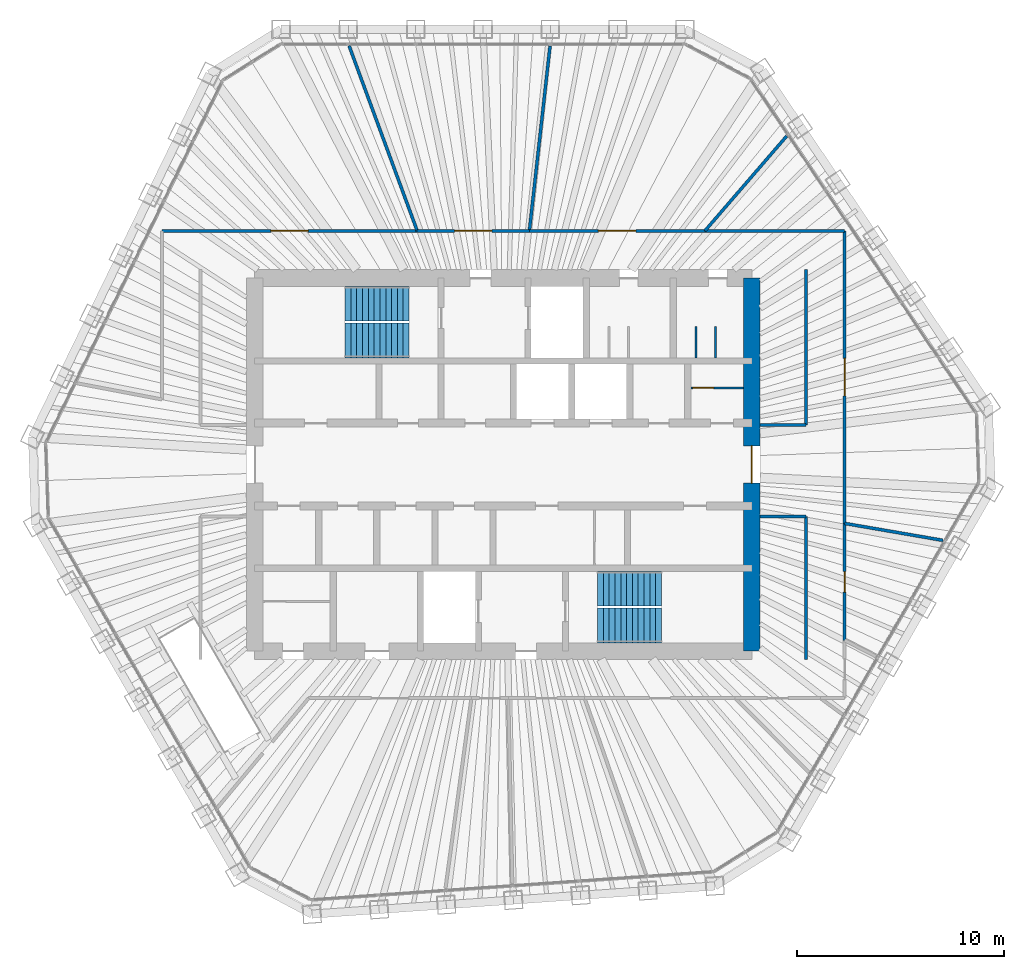
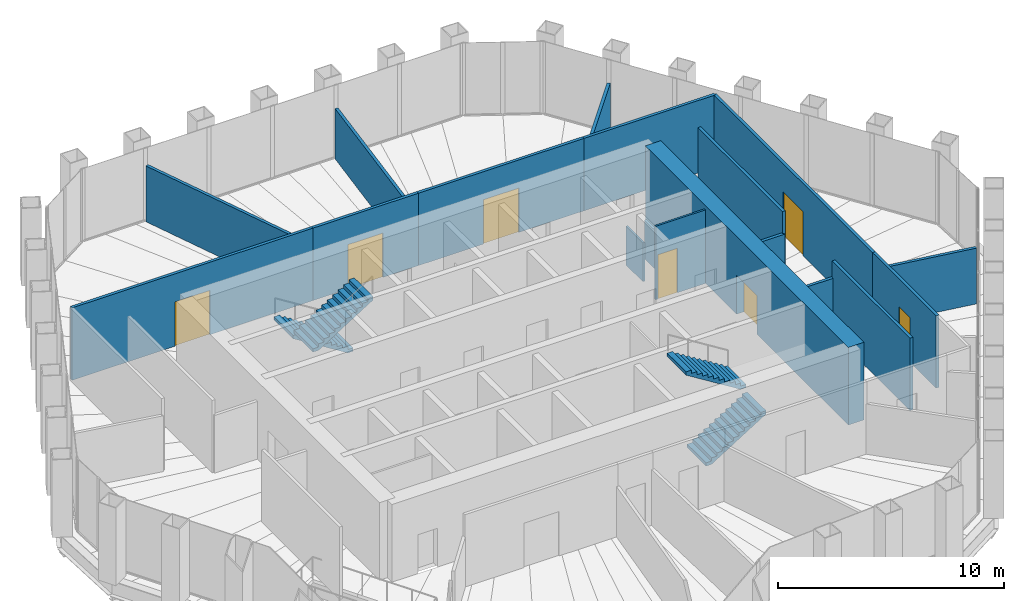
# One storey, part 13 of 14: 18 walls, 7 doors, 4 stair flights, 7 openings, 2 elements without a shape of their own.
"""IFC4 building model written with IfcOpenShell, lengths in metres."""

from ifc_helpers import new_model, si_unit, direction, frame, frame_2d, origin, place, context, subcontext, project, spatial, polyline, rectangle, outline, extrude, material, layer, layer_set, type_object, element, fill, aggregate, save


model = new_model("IFC4")

# Units and contexts
model_context = context("Model", 3, precision=1e-05, world=origin(), true_north=direction((0.0, 1.0)))
body_context = subcontext(model_context, "Body", "Model", "MODEL_VIEW")
ifc_project = project(units=[si_unit("LENGTHUNIT", "METRE"), si_unit("AREAUNIT", "SQUARE_METRE"), si_unit("VOLUMEUNIT", "CUBIC_METRE"), si_unit("PLANEANGLEUNIT", "RADIAN"), si_unit("MASSUNIT", "GRAM", prefix="KILO")], contexts=[model_context])

# Site, building, storey
site_placement = place(None, origin())
site = spatial("IfcSite", under=ifc_project, at=site_placement, CompositionType="ELEMENT")
building_placement = place(site_placement, origin())
building = spatial("IfcBuilding", under=site, at=building_placement, Name="Qingtian Harvest Tower", CompositionType="ELEMENT")
storey_placement = place(building_placement, frame((0.0, 0.0, 333.39990234375)))
storey = spatial("IfcBuildingStorey", under=building, at=storey_placement, Name="L74", CompositionType="ELEMENT", Elevation=333.39990234375)

# Wall, opening, door
ifc_material_1 = material(Name="Concrete fc' 70 MPa", Category="concrete")
ifc_layer_1 = layer(ifc_material_1, 0.800048828125)
ifc_layer_set_1 = layer_set([ifc_layer_1], Name="Core wall RC4 800")
wall_type_1 = type_object("IfcWallType", Name="Core wall RC4 800", PredefinedType="SHEAR", material=ifc_layer_set_1)
wall_1_placement = place(storey_placement, frame((12.0, -9.0, 0.0), z_axis=(0.0, 0.0, 1.0), x_axis=(0.0, 1.0, 0.0)))
wall_1 = element("IfcWall", 1, at=wall_1_placement, inside=storey, type_object=wall_type_1, Name="Core wall CE L74", PredefinedType="SHEAR", context=body_context, shape_type="SweptSolid", body=[
    extrude(rectangle(XDim=18.0, YDim=0.800048828125, at=frame_2d((9.0, 0.0))), origin(), (0.0, 0.0, 1.0), 4.2001953125),
])
opening_1_placement = place(wall_1_placement, frame((8.10009765625, 0.0, 0.0)))
opening_1 = element("IfcOpeningElement", 2, at=opening_1_placement, cuts=wall_1, Name="Opening FD2", PredefinedType="OPENING", context=body_context, shape_type="SweptSolid", body=[
    extrude(rectangle(XDim=1.800048828125, YDim=2.10009765625, at=frame_2d((0.89990234375, 1.050048828125))), frame((0.0, 0.409912109375, 0.0), z_axis=(0.0, -1.0, 0.0), x_axis=(1.0, 0.0, 0.0)), (0.0, 0.0, 1.0), 0.820068359375),
])
ifc_material_2 = material(Name="Steel-faced door leaf", Category="steel")
door_type_1 = type_object("IfcDoorType", Name="Fire door FD2 double 1 HR", OperationType="DOUBLE_DOOR_DOUBLE_SWING", PredefinedType="DOOR", material=ifc_material_2)
door_1_placement = place(opening_1_placement, origin())
door_1 = element("IfcDoor", 3, at=door_1_placement, inside=storey, type_object=door_type_1, Name="LOBBY-E door L74", OperationType="DOUBLE_DOOR_DOUBLE_SWING", OverallHeight=2.10009765625, OverallWidth=1.800048828125, PredefinedType="DOOR", context=body_context, shape_type="SweptSolid", body=[
    extrude(rectangle(XDim=1.800048828125, YDim=2.10009765625, at=frame_2d((0.89990234375, 1.050048828125))), frame((0.0, 0.02490234375, 0.0), z_axis=(0.0, -1.0, 0.0), x_axis=(1.0, 0.0, 0.0)), (0.0, 0.0, 1.0), 0.050048828125),
])
fill(opening_1, door_1)

ifc_material_3 = material(Name="Gypsum board on steel studs", Category="steel")
ifc_layer_2 = layer(ifc_material_3, 0.14990234375)
ifc_layer_set_2 = layer_set([ifc_layer_2], Name="Partition PT1 150")
wall_type_2 = type_object("IfcWallType", Name="Partition PT1 150", PredefinedType="PARTITIONING", material=ifc_layer_set_2)
wall_2_placement = place(storey_placement, frame((-16.47509765625, 11.27490234375, 0.0), z_axis=(0.0, 0.0, 1.0), x_axis=(1.0, 0.0, 0.0)))
wall_2 = element("IfcWall", 4, at=wall_2_placement, inside=storey, type_object=wall_type_2, Name="Boardroom wall L74", PredefinedType="PARTITIONING", context=body_context, shape_type="SweptSolid", body=[
    extrude(rectangle(XDim=12.32373046875, YDim=0.14990234375, at=frame_2d((6.161865234375, 0.0))), origin(), (0.0, 0.0, 1.0), 3.920166015625),
])
opening_2_placement = place(wall_2_placement, frame((5.26171875, 0.0, 0.0)))
opening_2 = element("IfcOpeningElement", 5, at=opening_2_placement, cuts=wall_2, Name="Opening D3", PredefinedType="OPENING", context=body_context, shape_type="SweptSolid", body=[
    extrude(rectangle(XDim=1.800048828125, YDim=2.39990234375, at=frame_2d((0.89990234375, 1.199951171875))), frame((0.0, 0.0849609375, 0.0), z_axis=(0.0, -1.0, 0.0), x_axis=(1.0, 0.0, 0.0)), (0.0, 0.0, 1.0), 0.169921875),
])
ifc_material_4 = material(Name="Laminated timber door leaf", Category="wood")
door_type_2 = type_object("IfcDoorType", Name="Room door D3 double", OperationType="DOUBLE_DOOR_DOUBLE_SWING", PredefinedType="DOOR", material=ifc_material_4)
door_2_placement = place(opening_2_placement, origin())
door_2 = element("IfcDoor", 6, at=door_2_placement, inside=storey, type_object=door_type_2, Name="Boardroom door L74", OperationType="DOUBLE_DOOR_DOUBLE_SWING", OverallHeight=2.39990234375, OverallWidth=1.800048828125, PredefinedType="DOOR", context=body_context, shape_type="SweptSolid", body=[
    extrude(rectangle(XDim=1.800048828125, YDim=2.39990234375, at=frame_2d((0.89990234375, 1.199951171875))), frame((0.0, 0.02490234375, 0.0), z_axis=(0.0, -1.0, 0.0), x_axis=(1.0, 0.0, 0.0)), (0.0, 0.0, 1.0), 0.050048828125),
])
fill(opening_2, door_2)

# Wall
wall_3_placement = place(storey_placement, frame((-7.439697265625, 20.2060546875, 0.0), z_axis=(0.0, 0.0, 1.0), x_axis=(0.345511582319, -0.93841448544, 0.0)))
element("IfcWall", 7, at=wall_3_placement, inside=storey, type_object=wall_type_2, Name="Conference room wall L74", PredefinedType="PARTITIONING", context=body_context, shape_type="SweptSolid", body=[
    extrude(rectangle(XDim=9.517333984375, YDim=0.14990234375, at=frame_2d((4.7587890625, 0.0))), origin(), (0.0, 0.0, 1.0), 3.02001953125),
])

# Wall, opening, door
wall_4_placement = place(storey_placement, frame((-4.1513671875, 11.27490234375, 0.0), z_axis=(0.0, 0.0, 1.0), x_axis=(1.0, 0.0, 0.0)))
wall_4 = element("IfcWall", 8, at=wall_4_placement, inside=storey, type_object=wall_type_2, Name="Conference room wall L74", PredefinedType="PARTITIONING", context=body_context, shape_type="SweptSolid", body=[
    extrude(rectangle(XDim=5.412109375, YDim=0.14990234375, at=frame_2d((2.7060546875, 0.0))), origin(), (0.0, 0.0, 1.0), 3.920166015625),
])
opening_3_placement = place(wall_4_placement, frame((1.805908203125, 0.0, 0.0)))
opening_3 = element("IfcOpeningElement", 9, at=opening_3_placement, cuts=wall_4, Name="Opening D3", PredefinedType="OPENING", context=body_context, shape_type="SweptSolid", body=[
    extrude(rectangle(XDim=1.800048828125, YDim=2.39990234375, at=frame_2d((0.89990234375, 1.199951171875))), frame((0.0, 0.0849609375, 0.0), z_axis=(0.0, -1.0, 0.0), x_axis=(1.0, 0.0, 0.0)), (0.0, 0.0, 1.0), 0.169921875),
])
door_3_placement = place(opening_3_placement, origin())
door_3 = element("IfcDoor", 10, at=door_3_placement, inside=storey, type_object=door_type_2, Name="Conference room door L74", OperationType="DOUBLE_DOOR_DOUBLE_SWING", OverallHeight=2.39990234375, OverallWidth=1.800048828125, PredefinedType="DOOR", context=body_context, shape_type="SweptSolid", body=[
    extrude(rectangle(XDim=1.800048828125, YDim=2.39990234375, at=frame_2d((0.89990234375, 1.199951171875))), frame((0.0, 0.02490234375, 0.0), z_axis=(0.0, -1.0, 0.0), x_axis=(1.0, 0.0, 0.0)), (0.0, 0.0, 1.0), 0.050048828125),
])
fill(opening_3, door_3)

# Wall
wall_5_placement = place(storey_placement, frame((2.2587890625, 20.20068359375, 0.0), z_axis=(0.0, 0.0, 1.0), x_axis=(-0.111123668582, -0.993806585952, 0.0)))
element("IfcWall", 11, at=wall_5_placement, inside=storey, type_object=wall_type_2, Name="Executive office wall L74", PredefinedType="PARTITIONING", context=body_context, shape_type="SweptSolid", body=[
    extrude(rectangle(XDim=8.9814453125, YDim=0.14990234375, at=frame_2d((4.49072265625, 0.0))), origin(), (0.0, 0.0, 1.0), 2.72021484375),
])

# Wall, opening, door
wall_6_placement = place(storey_placement, frame((1.2607421875, 11.27490234375, 0.0), z_axis=(0.0, 0.0, 1.0), x_axis=(1.0, 0.0, 0.0)))
wall_6 = element("IfcWall", 12, at=wall_6_placement, inside=storey, type_object=wall_type_2, Name="Executive office wall L74", PredefinedType="PARTITIONING", context=body_context, shape_type="SweptSolid", body=[
    extrude(rectangle(XDim=8.46923828125, YDim=0.14990234375, at=frame_2d((4.234619140625, 0.0))), origin(), (0.0, 0.0, 1.0), 3.920166015625),
])
opening_4_placement = place(wall_6_placement, frame((3.334716796875, 0.0, 0.0)))
opening_4 = element("IfcOpeningElement", 13, at=opening_4_placement, cuts=wall_6, Name="Opening D3", PredefinedType="OPENING", context=body_context, shape_type="SweptSolid", body=[
    extrude(rectangle(XDim=1.800048828125, YDim=2.39990234375, at=frame_2d((0.89990234375, 1.199951171875))), frame((0.0, 0.0849609375, 0.0), z_axis=(0.0, -1.0, 0.0), x_axis=(1.0, 0.0, 0.0)), (0.0, 0.0, 1.0), 0.169921875),
])
door_4_placement = place(opening_4_placement, origin())
door_4 = element("IfcDoor", 14, at=door_4_placement, inside=storey, type_object=door_type_2, Name="Executive office door L74", OperationType="DOUBLE_DOOR_DOUBLE_SWING", OverallHeight=2.39990234375, OverallWidth=1.800048828125, PredefinedType="DOOR", context=body_context, shape_type="SweptSolid", body=[
    extrude(rectangle(XDim=1.800048828125, YDim=2.39990234375, at=frame_2d((0.89990234375, 1.199951171875))), frame((0.0, 0.02490234375, 0.0), z_axis=(0.0, -1.0, 0.0), x_axis=(1.0, 0.0, 0.0)), (0.0, 0.0, 1.0), 0.050048828125),
])
fill(opening_4, door_4)

# Walls
wall_7_placement = place(storey_placement, frame((13.678466796875, 15.850341796875, 0.0), z_axis=(0.0, 0.0, 1.0), x_axis=(-0.65333269737, -0.757070925704, 0.0)))
element("IfcWall", 15, at=wall_7_placement, inside=storey, type_object=wall_type_2, Name="Chairman's suite wall L74", PredefinedType="PARTITIONING", context=body_context, shape_type="SweptSolid", body=[
    extrude(rectangle(XDim=6.043701171875, YDim=0.14990234375, at=frame_2d((3.02197265625, 0.0))), origin(), (0.0, 0.0, 1.0), 2.72021484375),
])
wall_8_placement = place(storey_placement, frame((9.72998046875, 11.27490234375, 0.0), z_axis=(0.0, 0.0, 1.0), x_axis=(1.0, 0.0, 0.0)))
element("IfcWall", 16, at=wall_8_placement, inside=storey, type_object=wall_type_2, Name="Chairman's suite wall L74", PredefinedType="PARTITIONING", context=body_context, shape_type="SweptSolid", body=[
    extrude(rectangle(XDim=6.7451171875, YDim=0.14990234375, at=frame_2d((3.37255859375, 0.0))), origin(), (0.0, 0.0, 1.0), 3.920166015625),
])

# Wall, opening, door
wall_9_placement = place(storey_placement, frame((16.47509765625, 11.27490234375, 0.0), z_axis=(0.0, 0.0, 1.0), x_axis=(0.0, -1.0, 0.0)))
wall_9 = element("IfcWall", 17, at=wall_9_placement, inside=storey, type_object=wall_type_2, Name="Chairman's suite wall L74", PredefinedType="PARTITIONING", context=body_context, shape_type="SweptSolid", body=[
    extrude(rectangle(XDim=14.11669921875, YDim=0.14990234375, at=frame_2d((7.058349609375, 0.0))), origin(), (0.0, 0.0, 1.0), 3.920166015625),
])
opening_5_placement = place(wall_9_placement, frame((6.158447265625, 0.0, 0.0)))
opening_5 = element("IfcOpeningElement", 18, at=opening_5_placement, cuts=wall_9, Name="Opening D3", PredefinedType="OPENING", context=body_context, shape_type="SweptSolid", body=[
    extrude(rectangle(XDim=1.800048828125, YDim=2.39990234375, at=frame_2d((0.89990234375, 1.199951171875))), frame((0.0, 0.0849609375, 0.0), z_axis=(0.0, -1.0, 0.0), x_axis=(1.0, 0.0, 0.0)), (0.0, 0.0, 1.0), 0.169921875),
])
door_5_placement = place(opening_5_placement, origin())
door_5 = element("IfcDoor", 19, at=door_5_placement, inside=storey, type_object=door_type_2, Name="Chairman's suite door L74", OperationType="DOUBLE_DOOR_DOUBLE_SWING", OverallHeight=2.39990234375, OverallWidth=1.800048828125, PredefinedType="DOOR", context=body_context, shape_type="SweptSolid", body=[
    extrude(rectangle(XDim=1.800048828125, YDim=2.39990234375, at=frame_2d((0.89990234375, 1.199951171875))), frame((0.0, 0.02490234375, 0.0), z_axis=(0.0, -1.0, 0.0), x_axis=(1.0, 0.0, 0.0)), (0.0, 0.0, 1.0), 0.050048828125),
])
fill(opening_5, door_5)

# Wall
wall_10_placement = place(storey_placement, frame((21.218994140625, -3.66015625, 0.0), z_axis=(0.0, 0.0, 1.0), x_axis=(-0.985444592587, 0.16999692627, 0.0)))
element("IfcWall", 20, at=wall_10_placement, inside=storey, type_object=wall_type_2, Name="Pantry wall L74", PredefinedType="PARTITIONING", context=body_context, shape_type="SweptSolid", body=[
    extrude(rectangle(XDim=4.81396484375, YDim=0.14990234375, at=frame_2d((2.406982421875, 0.0))), origin(), (0.0, 0.0, 1.0), 3.02001953125),
])

# Wall, opening, door
wall_11_placement = place(storey_placement, frame((16.47509765625, -2.841796875, 0.0), z_axis=(0.0, 0.0, 1.0), x_axis=(0.0, -1.0, 0.0)))
wall_11 = element("IfcWall", 21, at=wall_11_placement, inside=storey, type_object=wall_type_2, Name="Pantry wall L74", PredefinedType="PARTITIONING", context=body_context, shape_type="SweptSolid", body=[
    extrude(rectangle(XDim=5.64013671875, YDim=0.14990234375, at=frame_2d((2.820068359375, 0.0))), origin(), (0.0, 0.0, 1.0), 3.920166015625),
])
opening_6_placement = place(wall_11_placement, frame((2.320068359375, 0.0, 0.0)))
opening_6 = element("IfcOpeningElement", 22, at=opening_6_placement, cuts=wall_11, Name="Opening D2", PredefinedType="OPENING", context=body_context, shape_type="SweptSolid", body=[
    extrude(rectangle(XDim=1.0, YDim=2.39990234375, at=frame_2d((0.5, 1.199951171875))), frame((0.0, 0.0849609375, 0.0), z_axis=(0.0, -1.0, 0.0), x_axis=(1.0, 0.0, 0.0)), (0.0, 0.0, 1.0), 0.169921875),
])
ifc_material_5 = material(Name="Laminated timber door leaf", Category="wood")
door_type_3 = type_object("IfcDoorType", Name="Room door D2 single", OperationType="SINGLE_SWING_LEFT", PredefinedType="DOOR", material=ifc_material_5)
door_6_placement = place(opening_6_placement, origin())
door_6 = element("IfcDoor", 23, at=door_6_placement, inside=storey, type_object=door_type_3, Name="Pantry door L74", OperationType="SINGLE_SWING_LEFT", OverallHeight=2.39990234375, OverallWidth=1.0, PredefinedType="DOOR", context=body_context, shape_type="SweptSolid", body=[
    extrude(rectangle(XDim=1.0, YDim=2.39990234375, at=frame_2d((0.5, 1.199951171875))), frame((0.0, 0.02490234375, 0.0), z_axis=(0.0, -1.0, 0.0), x_axis=(1.0, 0.0, 0.0)), (0.0, 0.0, 1.0), 0.050048828125),
])
fill(opening_6, door_6)

# Walls
wall_12_placement = place(storey_placement, frame((14.60009765625, 1.89990234375, 0.0), z_axis=(0.0, 0.0, 1.0), x_axis=(0.0, 1.0, 0.0)))
element("IfcWall", 24, at=wall_12_placement, inside=storey, type_object=wall_type_2, Name="Coffee point wall L74", PredefinedType="PARTITIONING", context=body_context, shape_type="SweptSolid", body=[
    extrude(rectangle(XDim=7.5, YDim=0.14990234375, at=frame_2d((3.75, 0.0))), origin(), (0.0, 0.0, 1.0), 3.920166015625),
])
wall_13_placement = place(storey_placement, frame((12.39990234375, 1.89990234375, 0.0), z_axis=(0.0, 0.0, 1.0), x_axis=(1.0, 0.0, 0.0)))
element("IfcWall", 25, at=wall_13_placement, inside=storey, type_object=wall_type_2, Name="Coffee point wall L74", PredefinedType="PARTITIONING", context=body_context, shape_type="SweptSolid", body=[
    extrude(rectangle(XDim=2.2001953125, YDim=0.14990234375, at=frame_2d((1.10009765625, 0.0))), origin(), (0.0, 0.0, 1.0), 2.72021484375),
])
wall_14_placement = place(storey_placement, frame((14.60009765625, -9.39990234375, 0.0), z_axis=(0.0, 0.0, 1.0), x_axis=(0.0, 1.0, 0.0)))
element("IfcWall", 26, at=wall_14_placement, inside=storey, type_object=wall_type_2, Name="Print area wall L74", PredefinedType="PARTITIONING", context=body_context, shape_type="SweptSolid", body=[
    extrude(rectangle(XDim=6.89990234375, YDim=0.14990234375, at=frame_2d((3.449951171875, 0.0))), origin(), (0.0, 0.0, 1.0), 3.920166015625),
])
wall_15_placement = place(storey_placement, frame((12.39990234375, -2.5, 0.0), z_axis=(0.0, 0.0, 1.0), x_axis=(1.0, 0.0, 0.0)))
element("IfcWall", 27, at=wall_15_placement, inside=storey, type_object=wall_type_2, Name="Print area wall L74", PredefinedType="PARTITIONING", context=body_context, shape_type="SweptSolid", body=[
    extrude(rectangle(XDim=2.2001953125, YDim=0.14990234375, at=frame_2d((1.10009765625, 0.0))), origin(), (0.0, 0.0, 1.0), 3.02001953125),
])

# Wall, opening, door
ifc_material_6 = material(Name="Concrete block partition", Category="concrete")
ifc_layer_3 = layer(ifc_material_6, 0.10009765625)
ifc_layer_set_3 = layer_set([ifc_layer_3], Name="Store partition PT3 100")
wall_type_3 = type_object("IfcWallType", Name="Store partition PT3 100", PredefinedType="PARTITIONING", material=ifc_layer_set_3)
wall_16_placement = place(storey_placement, frame((9.050048828125, 3.699951171875, 0.0), z_axis=(0.0, 0.0, 1.0), x_axis=(1.0, 0.0, 0.0)))
wall_16 = element("IfcWall", 28, at=wall_16_placement, inside=storey, type_object=wall_type_3, Name="Filter plant room wall L74", PredefinedType="PARTITIONING", context=body_context, shape_type="SweptSolid", body=[
    extrude(rectangle(XDim=2.550048828125, YDim=0.10009765625, at=frame_2d((1.27490234375, 0.0))), origin(), (0.0, 0.0, 1.0), 3.97998046875),
])
opening_7_placement = place(wall_16_placement, frame((0.10009765625, 0.0, 0.0)))
opening_7 = element("IfcOpeningElement", 29, at=opening_7_placement, cuts=wall_16, Name="Opening D2", PredefinedType="OPENING", context=body_context, shape_type="SweptSolid", body=[
    extrude(rectangle(XDim=1.0, YDim=2.39990234375, at=frame_2d((0.5, 1.199951171875))), frame((0.0, 0.06005859375, 0.0), z_axis=(0.0, -1.0, 0.0), x_axis=(1.0, 0.0, 0.0)), (0.0, 0.0, 1.0), 0.1201171875),
])
door_7_placement = place(opening_7_placement, origin())
door_7 = element("IfcDoor", 30, at=door_7_placement, inside=storey, type_object=door_type_3, Name="Filter plant room door L74", OperationType="SINGLE_SWING_LEFT", OverallHeight=2.39990234375, OverallWidth=1.0, PredefinedType="DOOR", context=body_context, shape_type="SweptSolid", body=[
    extrude(rectangle(XDim=1.0, YDim=2.39990234375, at=frame_2d((0.5, 1.199951171875))), frame((0.0, 0.02490234375, 0.0), z_axis=(0.0, -1.0, 0.0), x_axis=(1.0, 0.0, 0.0)), (0.0, 0.0, 1.0), 0.050048828125),
])
fill(opening_7, door_7)

# Walls
ifc_material_7 = material(Name="Compact laminate cubicle partition", Category="plastic")
ifc_layer_4 = layer(ifc_material_7, 0.10009765625)
ifc_layer_set_4 = layer_set([ifc_layer_4], Name="WC cubicle partition WP1 100")
wall_type_4 = type_object("IfcWallType", Name="WC cubicle partition WP1 100", PredefinedType="PARTITIONING", material=ifc_layer_set_4)
for number, where, z_axis, x_axis, name in (
    (31, (9.300048828125, 5.14990234375, 0.0), (0.0, 0.0, 1.0), (0.0, 1.0, 0.0), "WC cubicle partition WCF L74"),
    (32, (10.25, 5.14990234375, 0.0), (0.0, 0.0, 1.0), (0.0, 1.0, 0.0), "WC cubicle partition WCF L74"),
):
    element("IfcWall", number, at=place(storey_placement, frame(where, z_axis=z_axis, x_axis=x_axis)), inside=storey, type_object=wall_type_4, Name=name, PredefinedType="PARTITIONING", context=body_context, shape_type="SweptSolid", body=[
        extrude(rectangle(XDim=1.5, YDim=0.10009765625, at=frame_2d((0.75, 0.0))), origin(), (0.0, 0.0, 1.0), 2.10009765625),
    ])

# Stair, stair flights
ifc_material_8 = material(Name="Concrete fc' 35 MPa", Category="concrete")
stair_type = type_object("IfcStairType", Name="Special stair ST7 4200", PredefinedType="HALF_TURN_STAIR", material=ifc_material_8)
stair_1_placement = place(storey_placement, origin())
stair_1 = element("IfcStair", 33, at=stair_1_placement, inside=storey, type_object=stair_type, Name="Special stair S1 L74", PredefinedType="HALF_TURN_STAIR")
ifc_material_9 = material(Name="Concrete fc' 35 MPa", Category="concrete")
stair_flight_type = type_object("IfcStairFlightType", Name="Stair flight SF7 4200", PredefinedType="STRAIGHT", material=ifc_material_9)
stair_flight_1_placement = place(storey_placement, frame((-4.550048828125, 7.762451171875, 0.0), z_axis=(0.0, 0.0, 1.0), x_axis=(-1.0, 0.0, 0.0)))
stair_flight_1 = element("IfcStairFlight", 34, at=stair_flight_1_placement, type_object=stair_flight_type, Name="S1 flight 1", NumberOfRisers=12, NumberOfTreads=11, PredefinedType="STRAIGHT", RiserHeight=0.175, TreadLength=0.28, context=body_context, shape_type="SweptSolid", body=[
    extrude(outline(polyline([(0.0, 0.0), (0.0, 0.175048828125), (0.280029296875, 0.175048828125), (0.280029296875, 0.35009765625), (0.56005859375, 0.35009765625), (0.56005859375, 0.52490234375), (0.840087890625, 0.52490234375), (0.840087890625, 0.699951171875), (1.1201171875, 0.699951171875), (1.1201171875, 0.875), (1.39990234375, 0.875), (1.39990234375, 1.050048828125), (1.679931640625, 1.050048828125), (1.679931640625, 1.22509765625), (1.9599609375, 1.22509765625), (1.9599609375, 1.39990234375), (2.239990234375, 1.39990234375), (2.239990234375, 1.574951171875), (2.52001953125, 1.574951171875), (2.52001953125, 1.75), (2.800048828125, 1.75), (2.800048828125, 1.925048828125), (3.080078125, 1.925048828125), (3.080078125, 2.10009765625), (3.080078125, 1.748291015625), (0.28271484375, 0.0), (0.0, 0.0)])), frame((0.0, 0.83740234375, 0.0), z_axis=(0.0, -1.0, 0.0), x_axis=(1.0, 0.0, 0.0)), (0.0, 0.0, 1.0), 1.675048828125),
])
stair_flight_2_placement = place(storey_placement, frame((-7.6298828125, 5.987548828125, 2.10009765625), z_axis=(0.0, 0.0, 1.0), x_axis=(1.0, 0.0, 0.0)))
stair_flight_2 = element("IfcStairFlight", 35, at=stair_flight_2_placement, type_object=stair_flight_type, Name="S1 flight 2", NumberOfRisers=12, NumberOfTreads=11, PredefinedType="STRAIGHT", RiserHeight=0.175, TreadLength=0.28, context=body_context, shape_type="SweptSolid", body=[
    extrude(outline(polyline([(0.0, 0.0), (0.0, 0.175048828125), (0.280029296875, 0.175048828125), (0.280029296875, 0.35009765625), (0.56005859375, 0.35009765625), (0.56005859375, 0.52490234375), (0.840087890625, 0.52490234375), (0.840087890625, 0.699951171875), (1.1201171875, 0.699951171875), (1.1201171875, 0.875), (1.39990234375, 0.875), (1.39990234375, 1.050048828125), (1.679931640625, 1.050048828125), (1.679931640625, 1.22509765625), (1.9599609375, 1.22509765625), (1.9599609375, 1.39990234375), (2.239990234375, 1.39990234375), (2.239990234375, 1.574951171875), (2.52001953125, 1.574951171875), (2.52001953125, 1.75), (2.800048828125, 1.75), (2.800048828125, 1.925048828125), (3.080078125, 1.925048828125), (3.080078125, 2.10009765625), (3.080078125, 1.748291015625), (0.28271484375, 0.0), (0.0, 0.0)])), frame((0.0, 0.83740234375, 0.0), z_axis=(0.0, -1.0, 0.0), x_axis=(1.0, 0.0, 0.0)), (0.0, 0.0, 1.0), 1.675048828125),
])
aggregate(stair_1, [stair_flight_1, stair_flight_2])

stair_2_placement = place(storey_placement, origin())
stair_2 = element("IfcStair", 36, at=stair_2_placement, inside=storey, type_object=stair_type, Name="Special stair S2 L74", PredefinedType="HALF_TURN_STAIR")
stair_flight_3_placement = place(storey_placement, frame((4.550048828125, -7.762451171875, 0.0), z_axis=(0.0, 0.0, 1.0), x_axis=(1.0, 0.0, 0.0)))
stair_flight_3 = element("IfcStairFlight", 37, at=stair_flight_3_placement, type_object=stair_flight_type, Name="S2 flight 1", NumberOfRisers=12, NumberOfTreads=11, PredefinedType="STRAIGHT", RiserHeight=0.175, TreadLength=0.28, context=body_context, shape_type="SweptSolid", body=[
    extrude(outline(polyline([(0.0, 0.0), (0.0, 0.175048828125), (0.280029296875, 0.175048828125), (0.280029296875, 0.35009765625), (0.56005859375, 0.35009765625), (0.56005859375, 0.52490234375), (0.840087890625, 0.52490234375), (0.840087890625, 0.699951171875), (1.1201171875, 0.699951171875), (1.1201171875, 0.875), (1.39990234375, 0.875), (1.39990234375, 1.050048828125), (1.679931640625, 1.050048828125), (1.679931640625, 1.22509765625), (1.9599609375, 1.22509765625), (1.9599609375, 1.39990234375), (2.239990234375, 1.39990234375), (2.239990234375, 1.574951171875), (2.52001953125, 1.574951171875), (2.52001953125, 1.75), (2.800048828125, 1.75), (2.800048828125, 1.925048828125), (3.080078125, 1.925048828125), (3.080078125, 2.10009765625), (3.080078125, 1.748291015625), (0.28271484375, 0.0), (0.0, 0.0)])), frame((0.0, 0.83740234375, 0.0), z_axis=(0.0, -1.0, 0.0), x_axis=(1.0, 0.0, 0.0)), (0.0, 0.0, 1.0), 1.675048828125),
])
stair_flight_4_placement = place(storey_placement, frame((7.6298828125, -5.987548828125, 2.10009765625), z_axis=(0.0, 0.0, 1.0), x_axis=(-1.0, 0.0, 0.0)))
stair_flight_4 = element("IfcStairFlight", 38, at=stair_flight_4_placement, type_object=stair_flight_type, Name="S2 flight 2", NumberOfRisers=12, NumberOfTreads=11, PredefinedType="STRAIGHT", RiserHeight=0.175, TreadLength=0.28, context=body_context, shape_type="SweptSolid", body=[
    extrude(outline(polyline([(0.0, 0.0), (0.0, 0.175048828125), (0.280029296875, 0.175048828125), (0.280029296875, 0.35009765625), (0.56005859375, 0.35009765625), (0.56005859375, 0.52490234375), (0.840087890625, 0.52490234375), (0.840087890625, 0.699951171875), (1.1201171875, 0.699951171875), (1.1201171875, 0.875), (1.39990234375, 0.875), (1.39990234375, 1.050048828125), (1.679931640625, 1.050048828125), (1.679931640625, 1.22509765625), (1.9599609375, 1.22509765625), (1.9599609375, 1.39990234375), (2.239990234375, 1.39990234375), (2.239990234375, 1.574951171875), (2.52001953125, 1.574951171875), (2.52001953125, 1.75), (2.800048828125, 1.75), (2.800048828125, 1.925048828125), (3.080078125, 1.925048828125), (3.080078125, 2.10009765625), (3.080078125, 1.748291015625), (0.28271484375, 0.0), (0.0, 0.0)])), frame((0.0, 0.83740234375, 0.0), z_axis=(0.0, -1.0, 0.0), x_axis=(1.0, 0.0, 0.0)), (0.0, 0.0, 1.0), 1.675048828125),
])
aggregate(stair_2, [stair_flight_3, stair_flight_4])

save(model, "model.ifc")
